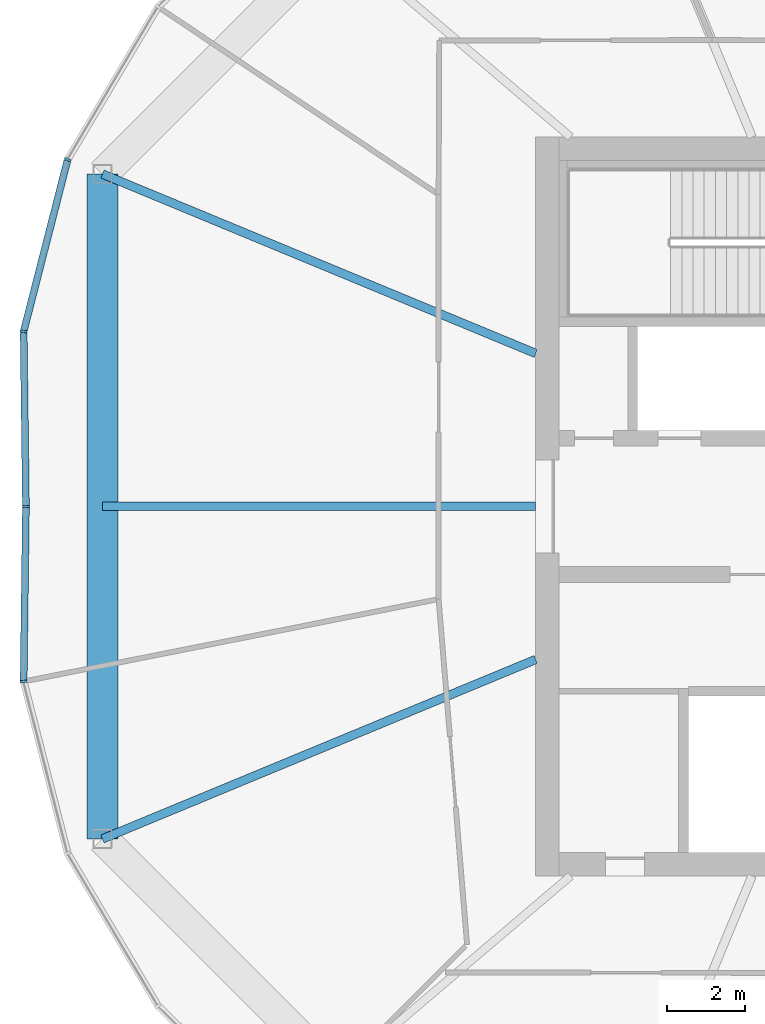
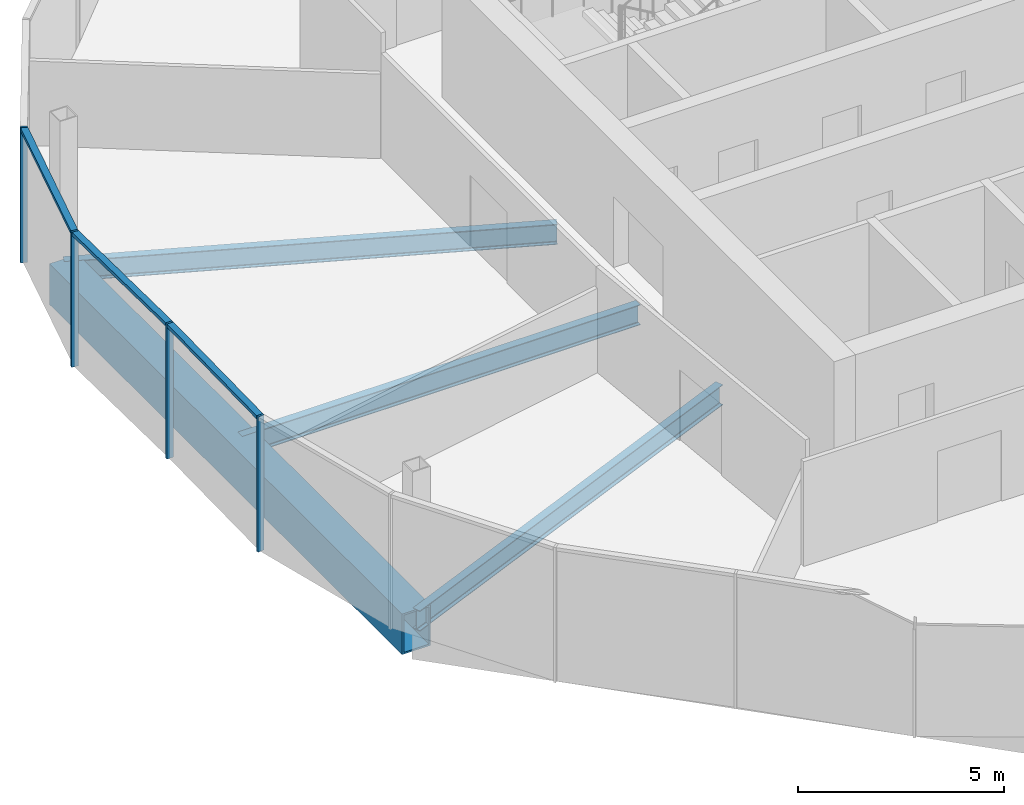
# One storey, part 5 of 26: 7 members, 4 beams, 2 elements without a shape of their own.
"""IFC4 building model written with IfcOpenShell, lengths in metres."""

from ifc_helpers import new_model, si_unit, direction, frame, origin, origin_2d, place, context, subcontext, project, spatial, rectangle, hollow_rectangle, i_section, extrude, material, material_profile, profile_set, type_object, element, aggregate, save


model = new_model("IFC4")

# Units and contexts
model_context = context("Model", 3, precision=1e-05, world=origin(), true_north=direction((0.0, 1.0)))
body_context = subcontext(model_context, "Body", "Model", "MODEL_VIEW")
ifc_project = project(units=[si_unit("LENGTHUNIT", "METRE"), si_unit("AREAUNIT", "SQUARE_METRE"), si_unit("VOLUMEUNIT", "CUBIC_METRE"), si_unit("PLANEANGLEUNIT", "RADIAN"), si_unit("MASSUNIT", "GRAM", prefix="KILO")], contexts=[model_context])

# Site, building, storey
site_placement = place(None, origin())
site = spatial("IfcSite", under=ifc_project, at=site_placement, CompositionType="ELEMENT")
building_placement = place(site_placement, origin())
building = spatial("IfcBuilding", under=site, at=building_placement, Name="Ogive Gate Towers", CompositionType="ELEMENT")
storey_placement = place(building_placement, frame((0.0, 0.0, 148.800048828125)))
storey = spatial("IfcBuildingStorey", under=building, at=storey_placement, Name="L35", CompositionType="ELEMENT", Elevation=148.800048828125)

# Beams
ifc_material_1 = material(Name="Steel SM460", Category="steel")
ifc_material_profile_1 = material_profile(ifc_material_1, hollow_rectangle(XDim=0.800048828125, YDim=1.199951171875, WallThickness=0.050048828125, at=origin_2d()), Name="BX 1200x800x50")
ifc_profile_set_1 = profile_set([ifc_material_profile_1], Name="Steel SM460")
beam_type_1 = type_object("IfcBeamType", Name="Edge girder BX 1200x800x50", PredefinedType="BEAM", material=ifc_profile_set_1)
beam_1_placement = place(storey_placement, frame((-56.639404296875, 8.549072265625, -0.900146484375), z_axis=(0.0, -1.0, 0.0), x_axis=(1.0, 0.0, 0.0)))
element("IfcBeam", 1, at=beam_1_placement, inside=storey, type_object=beam_type_1, Name="T1/L35/SBM024", PredefinedType="BEAM", context=body_context, shape_type="SweptSolid", body=[
    extrude(hollow_rectangle(XDim=0.800048828125, YDim=1.199951171875, WallThickness=0.050048828125, at=origin_2d()), origin(), (0.0, 0.0, 1.0), 17.09814453125),
])
ifc_material_2 = material(Name="Steel SM355", Category="steel")
ifc_material_profile_2 = material_profile(ifc_material_2, i_section(OverallWidth=0.219970703125, OverallDepth=0.60009765625, WebThickness=0.011962890625, FlangeThickness=0.01904296875, FilletRadius=0.02392578125, at=origin_2d()), Name="IPE 600")
ifc_profile_set_2 = profile_set([ifc_material_profile_2], Name="Steel SM355")
beam_type_2 = type_object("IfcBeamType", Name="Radial floor beam IPE 600", PredefinedType="BEAM", material=ifc_profile_set_2)
for number, where, z_axis, x_axis, name in (
    (2, (-45.5, -3.93505859375, -0.60009765625), (-0.923881839184, -0.382677863518, 0.0), (0.382677863518, -0.923881839184, 0.0), "T1/L35/SBM001"),
    (3, (-45.5, 3.93505859375, -0.60009765625), (-0.923881839184, 0.382677863518, 0.0), (-0.382677863518, -0.923881839184, 0.0), "T1/L35/SBM015"),
):
    element("IfcBeam", number, at=place(storey_placement, frame(where, z_axis=z_axis, x_axis=x_axis)), inside=storey, type_object=beam_type_2, Name=name, PredefinedType="BEAM", context=body_context, shape_type="SweptSolid", body=[
        extrude(i_section(OverallWidth=0.219970703125, OverallDepth=0.60009765625, WebThickness=0.011962890625, FlangeThickness=0.01904296875, FilletRadius=0.02392578125, at=origin_2d()), origin(), (0.0, 0.0, 1.0), 12.05712890625),
    ])
beam_2_placement = place(storey_placement, frame((-45.5, 0.0, -0.60009765625), z_axis=(-1.0, 0.0, 0.0), x_axis=(0.0, -1.0, 0.0)))
element("IfcBeam", 4, at=beam_2_placement, inside=storey, type_object=beam_type_2, Name="T1/L35/SBM016", PredefinedType="BEAM", context=body_context, shape_type="SweptSolid", body=[
    extrude(i_section(OverallWidth=0.219970703125, OverallDepth=0.60009765625, WebThickness=0.011962890625, FlangeThickness=0.01904296875, FilletRadius=0.02392578125, at=origin_2d()), origin(), (0.0, 0.0, 1.0), 11.139404296875),
])

# Curtain wall, members
ifc_material_3 = material(Name="Pale metal aluminium", Category="aluminium")
curtain_wall_type = type_object("IfcCurtainWallType", Name="Tower unitised wall, high zone", PredefinedType="NOTDEFINED", material=ifc_material_3)
curtain_wall_1_placement = place(storey_placement, origin())
curtain_wall_1 = element("IfcCurtainWall", 5, at=curtain_wall_1_placement, inside=storey, type_object=curtain_wall_type, Name="CW2 T1 ECW04", PredefinedType="NOTDEFINED")
ifc_material_profile_3 = material_profile(ifc_material_3, rectangle(XDim=0.179931640625, YDim=0.06005859375, at=origin_2d()), Name="60 x 180 aluminium box")
ifc_profile_set_3 = profile_set([ifc_material_profile_3], Name="Pale metal aluminium")
member_type_1 = type_object("IfcMemberType", Name="Tower unitised wall, high zone mullion 60 x 180", PredefinedType="MULLION", material=ifc_profile_set_3)
member_1_placement = place(storey_placement, frame((-57.53662109375, 8.9208984375, -0.300048828125), z_axis=(0.0, 0.0, 1.0), x_axis=(-0.923879532511, 0.382683432365, 0.0)))
member_1 = element("IfcMember", 6, at=member_1_placement, type_object=member_type_1, Name="CW2 mullion", PredefinedType="MULLION", context=body_context, shape_type="SweptSolid", body=[
    extrude(rectangle(XDim=0.179931640625, YDim=0.06005859375, at=origin_2d()), origin(), (0.0, 0.0, 1.0), 4.0),
])
member_2_placement = place(storey_placement, frame((-58.66796875, 4.501708984375, -0.300048828125), z_axis=(0.0, 0.0, 1.0), x_axis=(-0.992940687859, 0.118611931918, 0.0)))
member_2 = element("IfcMember", 7, at=member_2_placement, type_object=member_type_1, Name="CW2 mullion", PredefinedType="MULLION", context=body_context, shape_type="SweptSolid", body=[
    extrude(rectangle(XDim=0.179931640625, YDim=0.06005859375, at=origin_2d()), origin(), (0.0, 0.0, 1.0), 4.0),
])
member_3_placement = place(storey_placement, frame((-58.610107421875, 0.0, -0.300048828125), z_axis=(0.0, 0.0, 1.0), x_axis=(-0.999917720156, -0.012827818167, 0.0)))
member_3 = element("IfcMember", 8, at=member_3_placement, type_object=member_type_1, Name="CW2 mullion", PredefinedType="MULLION", context=body_context, shape_type="SweptSolid", body=[
    extrude(rectangle(XDim=0.179931640625, YDim=0.06005859375, at=origin_2d()), origin(), (0.0, 0.0, 1.0), 4.0),
])

# Curtain wall, member
curtain_wall_2_placement = place(storey_placement, origin())
curtain_wall_2 = element("IfcCurtainWall", 9, at=curtain_wall_2_placement, inside=storey, type_object=curtain_wall_type, Name="CW2 T1 ECW05", PredefinedType="NOTDEFINED")
member_4_placement = place(storey_placement, frame((-58.66796875, -4.501708984375, -0.300048828125), z_axis=(0.0, 0.0, 1.0), x_axis=(-0.992940687859, -0.118611931918, 0.0)))
member_4 = element("IfcMember", 10, at=member_4_placement, type_object=member_type_1, Name="CW2 mullion", PredefinedType="MULLION", context=body_context, shape_type="SweptSolid", body=[
    extrude(rectangle(XDim=0.179931640625, YDim=0.06005859375, at=origin_2d()), origin(), (0.0, 0.0, 1.0), 4.0),
])

# Member
ifc_material_profile_4 = material_profile(ifc_material_3, rectangle(XDim=0.179931640625, YDim=0.10009765625, at=origin_2d()), Name="100 x 180 aluminium box")
ifc_profile_set_4 = profile_set([ifc_material_profile_4], Name="Pale metal aluminium")
member_type_2 = type_object("IfcMemberType", Name="Tower unitised wall, high zone transom 100 x 180", PredefinedType="USERDEFINED", material=ifc_profile_set_4)
member_5_placement = place(storey_placement, frame((-57.543701171875, 8.89306640625, 3.64990234375), z_axis=(-0.247977586132, -0.968765769821, 0.0), x_axis=(0.968765769821, -0.247977586132, 0.0)))
member_5 = element("IfcMember", 11, at=member_5_placement, type_object=member_type_2, Name="CW2 transom", ObjectType="TRANSOM", PredefinedType="USERDEFINED", context=body_context, shape_type="SweptSolid", body=[
    extrude(rectangle(XDim=0.179931640625, YDim=0.10009765625, at=origin_2d()), origin(), (0.0, 0.0, 1.0), 4.504150390625),
])

member_6_placement = place(storey_placement, frame((-58.66748046875, 4.472900390625, 3.64990234375), z_axis=(0.012857492984, -0.999917339021, 0.0), x_axis=(0.999917339021, 0.012857492984, 0.0)))
member_6 = element("IfcMember", 12, at=member_6_placement, type_object=member_type_2, Name="CW2 transom", ObjectType="TRANSOM", PredefinedType="USERDEFINED", context=body_context, shape_type="SweptSolid", body=[
    extrude(rectangle(XDim=0.179931640625, YDim=0.10009765625, at=origin_2d()), origin(), (0.0, 0.0, 1.0), 4.443359375),
])

aggregate(curtain_wall_1, [member_1, member_2, member_5, member_3, member_6])

member_7_placement = place(storey_placement, frame((-58.6103515625, -0.030029296875, 3.64990234375), z_axis=(-0.012857492984, -0.999917339021, 0.0), x_axis=(0.999917339021, -0.012857492984, 0.0)))
member_7 = element("IfcMember", 13, at=member_7_placement, type_object=member_type_2, Name="CW2 transom", ObjectType="TRANSOM", PredefinedType="USERDEFINED", context=body_context, shape_type="SweptSolid", body=[
    extrude(rectangle(XDim=0.179931640625, YDim=0.10009765625, at=origin_2d()), origin(), (0.0, 0.0, 1.0), 4.443359375),
])

aggregate(curtain_wall_2, [member_4, member_7])

save(model, "model.ifc")
